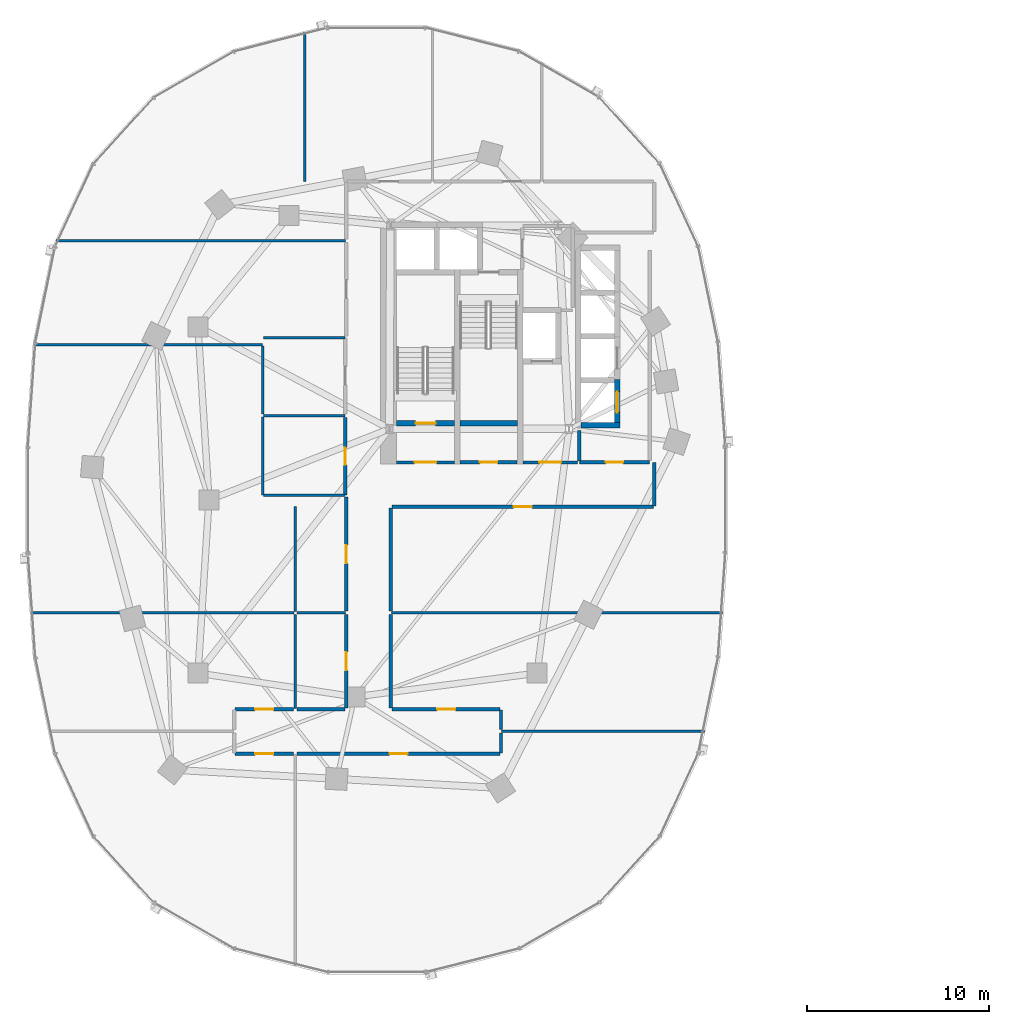
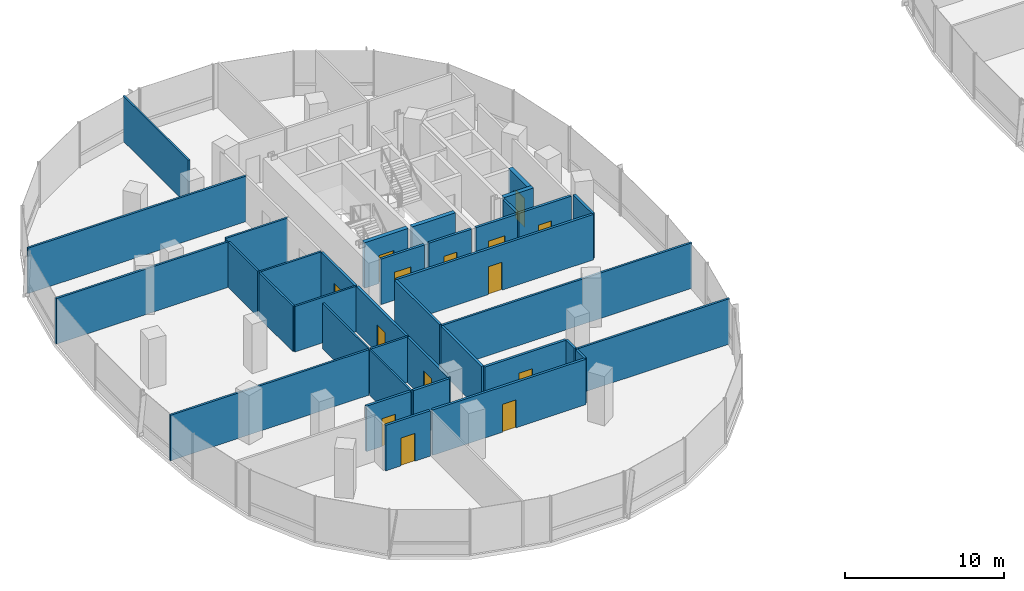
# One storey, part 11 of 22: 37 walls, 14 doors, 14 openings.
"""IFC4 building model written with IfcOpenShell, lengths in metres."""

from ifc_helpers import new_model, si_unit, direction, frame, frame_2d, origin, place, context, subcontext, project, spatial, rectangle, extrude, material, layer, layer_set, type_object, element, fill, save


model = new_model("IFC4")

# Units and contexts
model_context = context("Model", 3, precision=1e-05, world=origin(), true_north=direction((0.0, 1.0)))
body_context = subcontext(model_context, "Body", "Model", "MODEL_VIEW")
ifc_project = project(units=[si_unit("LENGTHUNIT", "METRE"), si_unit("AREAUNIT", "SQUARE_METRE"), si_unit("VOLUMEUNIT", "CUBIC_METRE"), si_unit("PLANEANGLEUNIT", "RADIAN"), si_unit("MASSUNIT", "GRAM", prefix="KILO"), si_unit("THERMODYNAMICTEMPERATUREUNIT", "KELVIN"), si_unit("POWERUNIT", "WATT")], contexts=[model_context])

# Site, building, storey
site_placement = place(None, origin())
site = spatial("IfcSite", under=ifc_project, at=site_placement, CompositionType="ELEMENT")
building_placement = place(site_placement, origin())
building = spatial("IfcBuilding", under=site, at=building_placement, Name="Cundina Bronze Exchange", CompositionType="ELEMENT")
storey_placement = place(building_placement, frame((0.0, 0.0, 39.199951171875)))
storey = spatial("IfcBuildingStorey", under=building, at=storey_placement, Name="L09", CompositionType="ELEMENT", Elevation=39.199951171875)

# Wall
ifc_material_1 = material(Name="Gypsum Fireboard Partition EI120")
ifc_layer_1 = layer(ifc_material_1, 0.179931640625, Name="Gypsum Fireboard Partition EI120")
ifc_layer_set_1 = layer_set([ifc_layer_1], Name="Gypsum Fireboard Partition EI120")
wall_type_1 = type_object("IfcWallType", Name="WL-COR-180", PredefinedType="PARTITIONING", material=ifc_layer_set_1)
wall_1_placement = place(storey_placement, frame((-20.889892578125, 2.14990234375, 0.0), z_axis=(0.0, 0.0, 1.0), x_axis=(0.0, 1.0, 0.0)))
element("IfcWall", 1, at=wall_1_placement, inside=storey, type_object=wall_type_1, Name="L09 W Firefighting Lobby Side Wall", PredefinedType="PARTITIONING", context=body_context, shape_type="SweptSolid", body=[
    extrude(rectangle(XDim=1.650146484375, YDim=0.179931640625, at=frame_2d((0.8251953125, 0.0))), origin(), (0.0, 0.0, 1.0), 3.5),
])

# Wall, opening, door
wall_2_placement = place(storey_placement, frame((-23.97998046875, 2.06005859375, 0.0), z_axis=(0.0, 0.0, 1.0), x_axis=(1.0, 0.0, 0.0)))
wall_2 = element("IfcWall", 2, at=wall_2_placement, inside=storey, type_object=wall_type_1, Name="L09 W Firefighting Lobby Exit Wall", PredefinedType="PARTITIONING", context=body_context, shape_type="SweptSolid", body=[
    extrude(rectangle(XDim=3.0, YDim=0.179931640625, at=frame_2d((1.5, 0.0))), origin(), (0.0, 0.0, 1.0), 3.5),
])
opening_1_placement = place(wall_2_placement, frame((0.89990234375, 0.0, 0.0)))
opening_1 = element("IfcOpeningElement", 3, at=opening_1_placement, cuts=wall_2, Name="Opening DF-01", PredefinedType="OPENING", context=body_context, shape_type="SweptSolid", body=[
    extrude(rectangle(XDim=1.199951171875, YDim=2.14990234375, at=frame_2d((0.60009765625, 1.074951171875))), frame((0.0, 0.099853515625, 0.0), z_axis=(0.0, -1.0, 0.0), x_axis=(1.0, 0.0, 0.0)), (0.0, 0.0, 1.0), 0.199951171875),
])
ifc_material_2 = material(Name="Steel ASTM A36 Painted", Category="steel")
door_type_1 = type_object("IfcDoorType", Name="DR-FFL-1200", OperationType="NOTDEFINED", PredefinedType="DOOR", material=ifc_material_2)
door_1_placement = place(opening_1_placement, origin())
door_1 = element("IfcDoor", 4, at=door_1_placement, inside=storey, type_object=door_type_1, Name="L09 W Firefighting Lobby Door", OperationType="SINGLE_SWING_RIGHT", OverallHeight=2.14990234375, OverallWidth=1.199951171875, PredefinedType="DOOR", context=body_context, shape_type="SweptSolid", body=[
    extrude(rectangle(XDim=1.199951171875, YDim=2.14990234375, at=frame_2d((0.60009765625, 1.074951171875))), frame((0.0, 0.02490234375, 0.0), z_axis=(0.0, -1.0, 0.0), x_axis=(1.0, 0.0, 0.0)), (0.0, 0.0, 1.0), 0.050048828125),
])
fill(opening_1, door_1)

wall_3_placement = place(storey_placement, frame((-30.89990234375, 2.06005859375, 0.0), z_axis=(0.0, 0.0, 1.0), x_axis=(1.0, 0.0, 0.0)))
wall_3 = element("IfcWall", 5, at=wall_3_placement, inside=storey, type_object=wall_type_1, Name="L09 W Stair Vestibule Exit Wall", PredefinedType="PARTITIONING", context=body_context, shape_type="SweptSolid", body=[
    extrude(rectangle(XDim=3.159912109375, YDim=0.179931640625, at=frame_2d((1.580078125, 0.0))), origin(), (0.0, 0.0, 1.0), 3.5),
])
opening_2_placement = place(wall_3_placement, frame((0.97998046875, 0.0, 0.0)))
opening_2 = element("IfcOpeningElement", 6, at=opening_2_placement, cuts=wall_3, Name="Opening DF-01", PredefinedType="OPENING", context=body_context, shape_type="SweptSolid", body=[
    extrude(rectangle(XDim=1.199951171875, YDim=2.14990234375, at=frame_2d((0.60009765625, 1.074951171875))), frame((0.0, 0.099853515625, 0.0), z_axis=(0.0, -1.0, 0.0), x_axis=(1.0, 0.0, 0.0)), (0.0, 0.0, 1.0), 0.199951171875),
])
door_2_placement = place(opening_2_placement, origin())
door_2 = element("IfcDoor", 7, at=door_2_placement, inside=storey, type_object=door_type_1, Name="L09 W Stair Vestibule Door", OperationType="SINGLE_SWING_LEFT", OverallHeight=2.14990234375, OverallWidth=1.199951171875, PredefinedType="DOOR", context=body_context, shape_type="SweptSolid", body=[
    extrude(rectangle(XDim=1.199951171875, YDim=2.14990234375, at=frame_2d((0.60009765625, 1.074951171875))), frame((0.0, 0.02490234375, 0.0), z_axis=(0.0, -1.0, 0.0), x_axis=(1.0, 0.0, 0.0)), (0.0, 0.0, 1.0), 0.050048828125),
])
fill(opening_2, door_2)

wall_4_placement = place(storey_placement, frame((-20.8701171875, 2.070068359375, 0.0), z_axis=(0.0, 0.0, 1.0), x_axis=(1.0, 0.0, 0.0)))
wall_4 = element("IfcWall", 8, at=wall_4_placement, inside=storey, type_object=wall_type_1, Name="L09 Interior Partition 002", PredefinedType="PARTITIONING", context=body_context, shape_type="SweptSolid", body=[
    extrude(rectangle(XDim=3.830078125, YDim=0.179931640625, at=frame_2d((1.9150390625, 0.0))), origin(), (0.0, 0.0, 1.0), 3.5),
])
opening_3_placement = place(wall_4_placement, frame((1.43994140625, 0.0, 0.0)))
opening_3 = element("IfcOpeningElement", 9, at=opening_3_placement, cuts=wall_4, Name="Opening DW-01", PredefinedType="OPENING", context=body_context, shape_type="SweptSolid", body=[
    extrude(rectangle(XDim=0.949951171875, YDim=2.10009765625, at=frame_2d((0.47509765625, 1.050048828125))), frame((0.0, 0.099853515625, 0.0), z_axis=(0.0, -1.0, 0.0), x_axis=(1.0, 0.0, 0.0)), (0.0, 0.0, 1.0), 0.199951171875),
])
ifc_material_3 = material(Name="Solid Andean Oak Timber Grade A", Category="wood")
door_type_2 = type_object("IfcDoorType", Name="DR-WC-950", OperationType="NOTDEFINED", PredefinedType="DOOR", material=ifc_material_3)
door_3_placement = place(opening_3_placement, origin())
door_3 = element("IfcDoor", 10, at=door_3_placement, inside=storey, type_object=door_type_2, Name="L09 Interior Door 002", OperationType="SINGLE_SWING_RIGHT", OverallHeight=2.10009765625, OverallWidth=0.949951171875, PredefinedType="DOOR", context=body_context, shape_type="SweptSolid", body=[
    extrude(rectangle(XDim=0.949951171875, YDim=2.10009765625, at=frame_2d((0.47509765625, 1.050048828125))), frame((0.0, 0.02490234375, 0.0), z_axis=(0.0, -1.0, 0.0), x_axis=(1.0, 0.0, 0.0)), (0.0, 0.0, 1.0), 0.050048828125),
])
fill(opening_3, door_3)

wall_5_placement = place(storey_placement, frame((-27.419921875, 2.070068359375, 0.0), z_axis=(0.0, 0.0, 1.0), x_axis=(1.0, 0.0, 0.0)))
wall_5 = element("IfcWall", 11, at=wall_5_placement, inside=storey, type_object=wall_type_1, Name="L09 Interior Partition 006", PredefinedType="PARTITIONING", context=body_context, shape_type="SweptSolid", body=[
    extrude(rectangle(XDim=3.119873046875, YDim=0.179931640625, at=frame_2d((1.56005859375, 0.0))), origin(), (0.0, 0.0, 1.0), 3.5),
])
opening_4_placement = place(wall_5_placement, frame((1.0849609375, 0.0, 0.0)))
opening_4 = element("IfcOpeningElement", 12, at=opening_4_placement, cuts=wall_5, Name="Opening DW-01", PredefinedType="OPENING", context=body_context, shape_type="SweptSolid", body=[
    extrude(rectangle(XDim=0.949951171875, YDim=2.10009765625, at=frame_2d((0.47509765625, 1.050048828125))), frame((0.0, 0.099853515625, 0.0), z_axis=(0.0, -1.0, 0.0), x_axis=(1.0, 0.0, 0.0)), (0.0, 0.0, 1.0), 0.199951171875),
])
door_4_placement = place(opening_4_placement, origin())
door_4 = element("IfcDoor", 13, at=door_4_placement, inside=storey, type_object=door_type_2, Name="L09 Interior Door 006", OperationType="SINGLE_SWING_RIGHT", OverallHeight=2.10009765625, OverallWidth=0.949951171875, PredefinedType="DOOR", context=body_context, shape_type="SweptSolid", body=[
    extrude(rectangle(XDim=0.949951171875, YDim=2.10009765625, at=frame_2d((0.47509765625, 1.050048828125))), frame((0.0, 0.02490234375, 0.0), z_axis=(0.0, -1.0, 0.0), x_axis=(1.0, 0.0, 0.0)), (0.0, 0.0, 1.0), 0.050048828125),
])
fill(opening_4, door_4)

wall_6_placement = place(storey_placement, frame((-33.719970703125, 0.27001953125, 0.0), z_axis=(0.0, 0.0, 1.0), x_axis=(0.0, 1.0, 0.0)))
wall_6 = element("IfcWall", 14, at=wall_6_placement, inside=storey, type_object=wall_type_1, Name="L09 Interior Partition 013", PredefinedType="PARTITIONING", context=body_context, shape_type="SweptSolid", body=[
    extrude(rectangle(XDim=4.260009765625, YDim=0.179931640625, at=frame_2d((2.1298828125, 0.0))), origin(), (0.0, 0.0, 1.0), 3.5),
])
opening_5_placement = place(wall_6_placement, frame((1.655029296875, 0.0, 0.0)))
opening_5 = element("IfcOpeningElement", 15, at=opening_5_placement, cuts=wall_6, Name="Opening DW-01", PredefinedType="OPENING", context=body_context, shape_type="SweptSolid", body=[
    extrude(rectangle(XDim=0.949951171875, YDim=2.10009765625, at=frame_2d((0.47509765625, 1.050048828125))), frame((0.0, 0.099853515625, 0.0), z_axis=(0.0, -1.0, 0.0), x_axis=(1.0, 0.0, 0.0)), (0.0, 0.0, 1.0), 0.199951171875),
])
door_5_placement = place(opening_5_placement, origin())
door_5 = element("IfcDoor", 16, at=door_5_placement, inside=storey, type_object=door_type_2, Name="L09 Interior Door 013", OperationType="SINGLE_SWING_RIGHT", OverallHeight=2.10009765625, OverallWidth=0.949951171875, PredefinedType="DOOR", context=body_context, shape_type="SweptSolid", body=[
    extrude(rectangle(XDim=0.949951171875, YDim=2.10009765625, at=frame_2d((0.47509765625, 1.050048828125))), frame((0.0, 0.02490234375, 0.0), z_axis=(0.0, -1.0, 0.0), x_axis=(1.0, 0.0, 0.0)), (0.0, 0.0, 1.0), 0.050048828125),
])
fill(opening_5, door_5)

wall_7_placement = place(storey_placement, frame((-36.3701171875, -13.919921875, 0.0), z_axis=(0.0, 0.0, 1.0), x_axis=(1.0, 0.0, 0.0)))
wall_7 = element("IfcWall", 17, at=wall_7_placement, inside=storey, type_object=wall_type_1, Name="L09 Interior Partition 028", PredefinedType="PARTITIONING", context=body_context, shape_type="SweptSolid", body=[
    extrude(rectangle(XDim=11.148681640625, YDim=0.179931640625, at=frame_2d((5.57421875, 0.0))), origin(), (0.0, 0.0, 1.0), 3.5),
])
opening_6_placement = place(wall_7_placement, frame((5.07421875, 0.0, 0.0)))
opening_6 = element("IfcOpeningElement", 18, at=opening_6_placement, cuts=wall_7, Name="Opening DO-01", PredefinedType="OPENING", context=body_context, shape_type="SweptSolid", body=[
    extrude(rectangle(XDim=1.0, YDim=2.14990234375, at=frame_2d((0.5, 1.074951171875))), frame((0.0, 0.099853515625, 0.0), z_axis=(0.0, -1.0, 0.0), x_axis=(1.0, 0.0, 0.0)), (0.0, 0.0, 1.0), 0.199951171875),
])
door_type_3 = type_object("IfcDoorType", Name="DR-OFF-1000", OperationType="NOTDEFINED", PredefinedType="DOOR", material=ifc_material_3)
door_6_placement = place(opening_6_placement, origin())
door_6 = element("IfcDoor", 19, at=door_6_placement, inside=storey, type_object=door_type_3, Name="L09 Interior Door 028", OperationType="SINGLE_SWING_RIGHT", OverallHeight=2.14990234375, OverallWidth=1.0, PredefinedType="DOOR", context=body_context, shape_type="SweptSolid", body=[
    extrude(rectangle(XDim=1.0, YDim=2.14990234375, at=frame_2d((0.5, 1.074951171875))), frame((0.0, 0.02490234375, 0.0), z_axis=(0.0, -1.0, 0.0), x_axis=(1.0, 0.0, 0.0)), (0.0, 0.0, 1.0), 0.050048828125),
])
fill(opening_6, door_6)

# Wall
wall_8_placement = place(storey_placement, frame((-25.179931640625, -13.87841796875, 0.0), z_axis=(0.0, 0.0, 1.0), x_axis=(0.0, 1.0, 0.0)))
element("IfcWall", 20, at=wall_8_placement, inside=storey, type_object=wall_type_1, Name="L09 Interior Partition 029", PredefinedType="PARTITIONING", context=body_context, shape_type="SweptSolid", body=[
    extrude(rectangle(XDim=1.098388671875, YDim=0.179931640625, at=frame_2d((0.54931640625, 0.0))), origin(), (0.0, 0.0, 1.0), 3.5),
])

# Wall, opening, door
wall_9_placement = place(storey_placement, frame((-39.778564453125, -13.919921875, 0.0), z_axis=(0.0, 0.0, 1.0), x_axis=(1.0, 0.0, 0.0)))
wall_9 = element("IfcWall", 21, at=wall_9_placement, inside=storey, type_object=wall_type_1, Name="L09 Interior Partition 030", PredefinedType="PARTITIONING", context=body_context, shape_type="SweptSolid", body=[
    extrude(rectangle(XDim=3.228515625, YDim=0.179931640625, at=frame_2d((1.6142578125, 0.0))), origin(), (0.0, 0.0, 1.0), 3.5),
])
opening_7_placement = place(wall_9_placement, frame((1.1142578125, 0.0, 0.0)))
opening_7 = element("IfcOpeningElement", 22, at=opening_7_placement, cuts=wall_9, Name="Opening DO-01", PredefinedType="OPENING", context=body_context, shape_type="SweptSolid", body=[
    extrude(rectangle(XDim=1.0, YDim=2.14990234375, at=frame_2d((0.5, 1.074951171875))), frame((0.0, 0.099853515625, 0.0), z_axis=(0.0, -1.0, 0.0), x_axis=(1.0, 0.0, 0.0)), (0.0, 0.0, 1.0), 0.199951171875),
])
door_7_placement = place(opening_7_placement, origin())
door_7 = element("IfcDoor", 23, at=door_7_placement, inside=storey, type_object=door_type_3, Name="L09 Interior Door 030", OperationType="SINGLE_SWING_RIGHT", OverallHeight=2.14990234375, OverallWidth=1.0, PredefinedType="DOOR", context=body_context, shape_type="SweptSolid", body=[
    extrude(rectangle(XDim=1.0, YDim=2.14990234375, at=frame_2d((0.5, 1.074951171875))), frame((0.0, 0.02490234375, 0.0), z_axis=(0.0, -1.0, 0.0), x_axis=(1.0, 0.0, 0.0)), (0.0, 0.0, 1.0), 0.050048828125),
])
fill(opening_7, door_7)

wall_10_placement = place(storey_placement, frame((-36.550048828125, -11.47998046875, 0.0), z_axis=(0.0, 0.0, 1.0), x_axis=(-1.0, 0.0, 0.0)))
wall_10 = element("IfcWall", 24, at=wall_10_placement, inside=storey, type_object=wall_type_1, Name="L09 Interior Partition 032", PredefinedType="PARTITIONING", context=body_context, shape_type="SweptSolid", body=[
    extrude(rectangle(XDim=3.228515625, YDim=0.179931640625, at=frame_2d((1.6142578125, 0.0))), origin(), (0.0, 0.0, 1.0), 3.5),
])
opening_8_placement = place(wall_10_placement, frame((1.1142578125, 0.0, 0.0)))
opening_8 = element("IfcOpeningElement", 25, at=opening_8_placement, cuts=wall_10, Name="Opening DO-01", PredefinedType="OPENING", context=body_context, shape_type="SweptSolid", body=[
    extrude(rectangle(XDim=1.0, YDim=2.14990234375, at=frame_2d((0.5, 1.074951171875))), frame((0.0, 0.099853515625, 0.0), z_axis=(0.0, -1.0, 0.0), x_axis=(1.0, 0.0, 0.0)), (0.0, 0.0, 1.0), 0.199951171875),
])
door_8_placement = place(opening_8_placement, origin())
door_8 = element("IfcDoor", 26, at=door_8_placement, inside=storey, type_object=door_type_3, Name="L09 Interior Door 032", OperationType="SINGLE_SWING_LEFT", OverallHeight=2.14990234375, OverallWidth=1.0, PredefinedType="DOOR", context=body_context, shape_type="SweptSolid", body=[
    extrude(rectangle(XDim=1.0, YDim=2.14990234375, at=frame_2d((0.5, 1.074951171875))), frame((0.0, 0.02490234375, 0.0), z_axis=(0.0, -1.0, 0.0), x_axis=(1.0, 0.0, 0.0)), (0.0, 0.0, 1.0), 0.050048828125),
])
fill(opening_8, door_8)

wall_11_placement = place(storey_placement, frame((-25.221435546875, -11.47998046875, 0.0), z_axis=(0.0, 0.0, 1.0), x_axis=(-1.0, 0.0, 0.0)))
wall_11 = element("IfcWall", 27, at=wall_11_placement, inside=storey, type_object=wall_type_1, Name="L09 Interior Partition 034", PredefinedType="PARTITIONING", context=body_context, shape_type="SweptSolid", body=[
    extrude(rectangle(XDim=5.928466796875, YDim=0.179931640625, at=frame_2d((2.96435546875, 0.0))), origin(), (0.0, 0.0, 1.0), 3.5),
])
opening_9_placement = place(wall_11_placement, frame((2.464111328125, 0.0, 0.0)))
opening_9 = element("IfcOpeningElement", 28, at=opening_9_placement, cuts=wall_11, Name="Opening DO-01", PredefinedType="OPENING", context=body_context, shape_type="SweptSolid", body=[
    extrude(rectangle(XDim=1.0, YDim=2.14990234375, at=frame_2d((0.5, 1.074951171875))), frame((0.0, 0.099853515625, 0.0), z_axis=(0.0, -1.0, 0.0), x_axis=(1.0, 0.0, 0.0)), (0.0, 0.0, 1.0), 0.199951171875),
])
door_9_placement = place(opening_9_placement, origin())
door_9 = element("IfcDoor", 29, at=door_9_placement, inside=storey, type_object=door_type_3, Name="L09 Interior Door 034", OperationType="SINGLE_SWING_RIGHT", OverallHeight=2.14990234375, OverallWidth=1.0, PredefinedType="DOOR", context=body_context, shape_type="SweptSolid", body=[
    extrude(rectangle(XDim=1.0, YDim=2.14990234375, at=frame_2d((0.5, 1.074951171875))), frame((0.0, 0.02490234375, 0.0), z_axis=(0.0, -1.0, 0.0), x_axis=(1.0, 0.0, 0.0)), (0.0, 0.0, 1.0), 0.050048828125),
])
fill(opening_9, door_9)

# Walls
wall_12_placement = place(storey_placement, frame((-31.22998046875, -11.39990234375, 0.0), z_axis=(0.0, 0.0, 1.0), x_axis=(0.0, 1.0, 0.0)))
element("IfcWall", 30, at=wall_12_placement, inside=storey, type_object=wall_type_1, Name="L09 Interior Partition 035", PredefinedType="PARTITIONING", context=body_context, shape_type="SweptSolid", body=[
    extrude(rectangle(XDim=5.119873046875, YDim=0.179931640625, at=frame_2d((2.56005859375, 0.0))), origin(), (0.0, 0.0, 1.0), 3.5),
])
wall_13_placement = place(storey_placement, frame((-25.179931640625, -12.60009765625, 0.0), z_axis=(0.0, 0.0, 1.0), x_axis=(0.0, 1.0, 0.0)))
element("IfcWall", 31, at=wall_13_placement, inside=storey, type_object=wall_type_1, Name="L09 Interior Partition 036", PredefinedType="PARTITIONING", context=body_context, shape_type="SweptSolid", body=[
    extrude(rectangle(XDim=1.07861328125, YDim=0.179931640625, at=frame_2d((0.539306640625, 0.0))), origin(), (0.0, 0.0, 1.0), 3.5),
])

# Wall, opening, door
wall_14_placement = place(storey_placement, frame((-33.669921875, -6.280029296875, 0.0), z_axis=(0.0, 0.0, 1.0), x_axis=(0.0, -1.0, 0.0)))
wall_14 = element("IfcWall", 32, at=wall_14_placement, inside=storey, type_object=wall_type_1, Name="L09 Interior Partition 037", PredefinedType="PARTITIONING", context=body_context, shape_type="SweptSolid", body=[
    extrude(rectangle(XDim=5.119873046875, YDim=0.179931640625, at=frame_2d((2.56005859375, 0.0))), origin(), (0.0, 0.0, 1.0), 3.5),
])
opening_10_placement = place(wall_14_placement, frame((2.06005859375, 0.0, 0.0)))
opening_10 = element("IfcOpeningElement", 33, at=opening_10_placement, cuts=wall_14, Name="Opening DO-01", PredefinedType="OPENING", context=body_context, shape_type="SweptSolid", body=[
    extrude(rectangle(XDim=1.0, YDim=2.14990234375, at=frame_2d((0.5, 1.074951171875))), frame((0.0, 0.099853515625, 0.0), z_axis=(0.0, -1.0, 0.0), x_axis=(1.0, 0.0, 0.0)), (0.0, 0.0, 1.0), 0.199951171875),
])
door_10_placement = place(opening_10_placement, origin())
door_10 = element("IfcDoor", 34, at=door_10_placement, inside=storey, type_object=door_type_3, Name="L09 Interior Door 037", OperationType="SINGLE_SWING_RIGHT", OverallHeight=2.14990234375, OverallWidth=1.0, PredefinedType="DOOR", context=body_context, shape_type="SweptSolid", body=[
    extrude(rectangle(XDim=1.0, YDim=2.14990234375, at=frame_2d((0.5, 1.074951171875))), frame((0.0, 0.02490234375, 0.0), z_axis=(0.0, -1.0, 0.0), x_axis=(1.0, 0.0, 0.0)), (0.0, 0.0, 1.0), 0.050048828125),
])
fill(opening_10, door_10)

# Wall
wall_15_placement = place(storey_placement, frame((-33.75, -11.47998046875, 0.0), z_axis=(0.0, 0.0, 1.0), x_axis=(-1.0, 0.0, 0.0)))
element("IfcWall", 35, at=wall_15_placement, inside=storey, type_object=wall_type_1, Name="L09 Interior Partition 038", PredefinedType="PARTITIONING", context=body_context, shape_type="SweptSolid", body=[
    extrude(rectangle(XDim=2.6201171875, YDim=0.179931640625, at=frame_2d((1.31005859375, 0.0))), origin(), (0.0, 0.0, 1.0), 3.5),
])

# Wall, opening, door
wall_16_placement = place(storey_placement, frame((-33.669921875, 0.15869140625, 0.0), z_axis=(0.0, 0.0, 1.0), x_axis=(0.0, -1.0, 0.0)))
wall_16 = element("IfcWall", 36, at=wall_16_placement, inside=storey, type_object=wall_type_1, Name="L09 Interior Partition 039", PredefinedType="PARTITIONING", context=body_context, shape_type="SweptSolid", body=[
    extrude(rectangle(XDim=6.2587890625, YDim=0.179931640625, at=frame_2d((3.12939453125, 0.0))), origin(), (0.0, 0.0, 1.0), 3.5),
])
opening_11_placement = place(wall_16_placement, frame((2.62939453125, 0.0, 0.0)))
opening_11 = element("IfcOpeningElement", 37, at=opening_11_placement, cuts=wall_16, Name="Opening DO-01", PredefinedType="OPENING", context=body_context, shape_type="SweptSolid", body=[
    extrude(rectangle(XDim=1.0, YDim=2.14990234375, at=frame_2d((0.5, 1.074951171875))), frame((0.0, 0.099853515625, 0.0), z_axis=(0.0, -1.0, 0.0), x_axis=(1.0, 0.0, 0.0)), (0.0, 0.0, 1.0), 0.199951171875),
])
door_11_placement = place(opening_11_placement, origin())
door_11 = element("IfcDoor", 38, at=door_11_placement, inside=storey, type_object=door_type_3, Name="L09 Interior Door 039", OperationType="SINGLE_SWING_RIGHT", OverallHeight=2.14990234375, OverallWidth=1.0, PredefinedType="DOOR", context=body_context, shape_type="SweptSolid", body=[
    extrude(rectangle(XDim=1.0, YDim=2.14990234375, at=frame_2d((0.5, 1.074951171875))), frame((0.0, 0.02490234375, 0.0), z_axis=(0.0, -1.0, 0.0), x_axis=(1.0, 0.0, 0.0)), (0.0, 0.0, 1.0), 0.050048828125),
])
fill(opening_11, door_11)

wall_17_placement = place(storey_placement, frame((-31.14990234375, -0.3701171875, 0.0), z_axis=(0.0, 0.0, 1.0), x_axis=(1.0, 0.0, 0.0)))
wall_17 = element("IfcWall", 39, at=wall_17_placement, inside=storey, type_object=wall_type_1, Name="L09 Interior Partition 040", PredefinedType="PARTITIONING", context=body_context, shape_type="SweptSolid", body=[
    extrude(rectangle(XDim=14.328369140625, YDim=0.179931640625, at=frame_2d((7.1640625, 0.0))), origin(), (0.0, 0.0, 1.0), 3.5),
])
opening_12_placement = place(wall_17_placement, frame((6.664306640625, 0.0, 0.0)))
opening_12 = element("IfcOpeningElement", 40, at=opening_12_placement, cuts=wall_17, Name="Opening DO-01", PredefinedType="OPENING", context=body_context, shape_type="SweptSolid", body=[
    extrude(rectangle(XDim=1.0, YDim=2.14990234375, at=frame_2d((0.5, 1.074951171875))), frame((0.0, 0.099853515625, 0.0), z_axis=(0.0, -1.0, 0.0), x_axis=(1.0, 0.0, 0.0)), (0.0, 0.0, 1.0), 0.199951171875),
])
door_12_placement = place(opening_12_placement, origin())
door_12 = element("IfcDoor", 41, at=door_12_placement, inside=storey, type_object=door_type_3, Name="L09 Interior Door 040", OperationType="SINGLE_SWING_RIGHT", OverallHeight=2.14990234375, OverallWidth=1.0, PredefinedType="DOOR", context=body_context, shape_type="SweptSolid", body=[
    extrude(rectangle(XDim=1.0, YDim=2.14990234375, at=frame_2d((0.5, 1.074951171875))), frame((0.0, 0.02490234375, 0.0), z_axis=(0.0, -1.0, 0.0), x_axis=(1.0, 0.0, 0.0)), (0.0, 0.0, 1.0), 0.050048828125),
])
fill(opening_12, door_12)

# Walls
wall_18_placement = place(storey_placement, frame((-31.22998046875, -6.10009765625, 0.0), z_axis=(0.0, 0.0, 1.0), x_axis=(0.0, 1.0, 0.0)))
element("IfcWall", 42, at=wall_18_placement, inside=storey, type_object=wall_type_1, Name="L09 Interior Partition 042", PredefinedType="PARTITIONING", context=body_context, shape_type="SweptSolid", body=[
    extrude(rectangle(XDim=5.650146484375, YDim=0.179931640625, at=frame_2d((2.8251953125, 0.0))), origin(), (0.0, 0.0, 1.0), 3.5),
])
wall_19_placement = place(storey_placement, frame((-16.780029296875, -0.32861328125, 0.0), z_axis=(0.0, 0.0, 1.0), x_axis=(0.0, 1.0, 0.0)))
element("IfcWall", 43, at=wall_19_placement, inside=storey, type_object=wall_type_1, Name="L09 Interior Partition 045", PredefinedType="PARTITIONING", context=body_context, shape_type="SweptSolid", body=[
    extrude(rectangle(XDim=2.38720703125, YDim=0.179931640625, at=frame_2d((1.193603515625, 0.0))), origin(), (0.0, 0.0, 1.0), 3.5),
])
ifc_material_4 = material(Name="Gypsum Acoustic Partition EI60")
ifc_layer_2 = layer(ifc_material_4, 0.125, Name="Gypsum Acoustic Partition EI60")
ifc_layer_set_2 = layer_set([ifc_layer_2], Name="Gypsum Acoustic Partition EI60")
wall_type_2 = type_object("IfcWallType", Name="WL-OFF-125", PredefinedType="PARTITIONING", material=ifc_layer_set_2)
wall_20_placement = place(storey_placement, frame((-36.4599609375, -11.449951171875, 0.0), z_axis=(0.0, 0.0, 1.0), x_axis=(0.0, 1.0, 0.0)))
element("IfcWall", 44, at=wall_20_placement, inside=storey, type_object=wall_type_2, Name="L09 Interior Partition 016", PredefinedType="PARTITIONING", context=body_context, shape_type="SweptSolid", body=[
    extrude(rectangle(XDim=5.175048828125, YDim=0.125, at=frame_2d((2.58740234375, 0.0))), origin(), (0.0, 0.0, 1.0), 3.5),
])
wall_21_placement = place(storey_placement, frame((-36.4599609375, -6.10498046875, 0.0), z_axis=(0.0, 0.0, 1.0), x_axis=(0.0, 1.0, 0.0)))
element("IfcWall", 45, at=wall_21_placement, inside=storey, type_object=wall_type_2, Name="L09 Interior Partition 017", PredefinedType="PARTITIONING", context=body_context, shape_type="SweptSolid", body=[
    extrude(rectangle(XDim=5.73486328125, YDim=0.125, at=frame_2d((2.867431640625, 0.0))), origin(), (0.0, 0.0, 1.0), 3.5),
])
wall_22_placement = place(storey_placement, frame((-35.93994140625, 17.469970703125, 0.0), z_axis=(0.0, 0.0, 1.0), x_axis=(0.0, 1.0, 0.0)))
element("IfcWall", 46, at=wall_22_placement, inside=storey, type_object=wall_type_2, Name="L09 Interior Partition 025", PredefinedType="PARTITIONING", context=body_context, shape_type="SweptSolid", body=[
    extrude(rectangle(XDim=8.202392578125, YDim=0.125, at=frame_2d((4.10107421875, 0.0))), origin(), (0.0, 0.0, 1.0), 3.5),
])

# Wall, opening, door
ifc_material_5 = material(Name="Concrete C50/60", Category="concrete")
ifc_layer_3 = layer(ifc_material_5, 0.300048828125, Name="Concrete C50/60", Category="concrete")
ifc_layer_set_3 = layer_set([ifc_layer_3], Name="Concrete C50/60")
wall_type_3 = type_object("IfcWallType", Name="WL-SHFT-300", PredefinedType="SHEAR", material=ifc_layer_set_3)
wall_23_placement = place(storey_placement, frame((-30.89990234375, 4.199951171875, 0.0), z_axis=(0.0, 0.0, 1.0), x_axis=(1.0, 0.0, 0.0)))
wall_23 = element("IfcWall", 47, at=wall_23_placement, inside=storey, type_object=wall_type_3, Name="L09 Stair W1 Landing Wall", PredefinedType="SHEAR", context=body_context, shape_type="SweptSolid", body=[
    extrude(rectangle(XDim=3.159912109375, YDim=0.300048828125, at=frame_2d((1.580078125, 0.0))), origin(), (0.0, 0.0, 1.0), 3.5),
])
opening_13_placement = place(wall_23_placement, frame((1.030029296875, 0.0, 0.0)))
opening_13 = element("IfcOpeningElement", 48, at=opening_13_placement, cuts=wall_23, Name="Opening DS-01", PredefinedType="OPENING", context=body_context, shape_type="SweptSolid", body=[
    extrude(rectangle(XDim=1.10009765625, YDim=2.14990234375, at=frame_2d((0.550048828125, 1.074951171875))), frame((0.0, 0.159912109375, 0.0), z_axis=(0.0, -1.0, 0.0), x_axis=(1.0, 0.0, 0.0)), (0.0, 0.0, 1.0), 0.320068359375),
])
door_type_4 = type_object("IfcDoorType", Name="DR-STR-1100", OperationType="NOTDEFINED", PredefinedType="DOOR", material=ifc_material_2)
door_13_placement = place(opening_13_placement, origin())
door_13 = element("IfcDoor", 49, at=door_13_placement, inside=storey, type_object=door_type_4, Name="L09 Smokeproof Stair W1 Door", OperationType="SINGLE_SWING_RIGHT", OverallHeight=2.14990234375, OverallWidth=1.10009765625, PredefinedType="DOOR", context=body_context, shape_type="SweptSolid", body=[
    extrude(rectangle(XDim=1.10009765625, YDim=2.14990234375, at=frame_2d((0.550048828125, 1.074951171875))), frame((0.0, 0.02490234375, 0.0), z_axis=(0.0, -1.0, 0.0), x_axis=(1.0, 0.0, 0.0)), (0.0, 0.0, 1.0), 0.050048828125),
])
fill(opening_13, door_13)

# Walls
wall_24_placement = place(storey_placement, frame((-27.43994140625, 4.199951171875, 0.0), z_axis=(0.0, 0.0, 1.0), x_axis=(1.0, 0.0, 0.0)))
element("IfcWall", 50, at=wall_24_placement, inside=storey, type_object=wall_type_3, Name="L09 Stair W2 Far Shaft Wall", PredefinedType="SHEAR", context=body_context, shape_type="SweptSolid", body=[
    extrude(rectangle(XDim=3.159912109375, YDim=0.300048828125, at=frame_2d((1.580078125, 0.0))), origin(), (0.0, 0.0, 1.0), 3.5),
])
wall_25_placement = place(storey_placement, frame((-20.800048828125, 4.10009765625, 0.0), z_axis=(0.0, 0.0, 1.0), x_axis=(1.0, 0.0, 0.0)))
element("IfcWall", 51, at=wall_25_placement, inside=storey, type_object=wall_type_3, Name="L09 W Passenger Bank South Cap Wall", PredefinedType="SHEAR", context=body_context, shape_type="SweptSolid", body=[
    extrude(rectangle(XDim=2.150146484375, YDim=0.300048828125, at=frame_2d((1.0751953125, 0.0))), origin(), (0.0, 0.0, 1.0), 3.5),
])

# Wall, opening, door
wall_26_placement = place(storey_placement, frame((-18.800048828125, 4.1298828125, 0.0), z_axis=(0.0, 0.0, 1.0), x_axis=(0.0, 1.0, 0.0)))
wall_26 = element("IfcWall", 52, at=wall_26_placement, inside=storey, type_object=wall_type_3, Name="L09 PL-W2 Hoistway Front Wall", PredefinedType="SHEAR", context=body_context, shape_type="SweptSolid", body=[
    extrude(rectangle(XDim=2.490234375, YDim=0.300048828125, at=frame_2d((1.2451171875, 0.0))), origin(), (0.0, 0.0, 1.0), 3.5),
])
opening_14_placement = place(wall_26_placement, frame((0.669921875, 0.0, 0.0)))
opening_14 = element("IfcOpeningElement", 53, at=opening_14_placement, cuts=wall_26, Name="Opening LD-01", PredefinedType="OPENING", context=body_context, shape_type="SweptSolid", body=[
    extrude(rectangle(XDim=1.14990234375, YDim=2.199951171875, at=frame_2d((0.574951171875, 1.10009765625))), frame((0.0, 0.159912109375, 0.0), z_axis=(0.0, -1.0, 0.0), x_axis=(1.0, 0.0, 0.0)), (0.0, 0.0, 1.0), 0.320068359375),
])
door_type_5 = type_object("IfcDoorType", Name="DR-LND-1150", OperationType="NOTDEFINED", PredefinedType="TRAPDOOR", material=ifc_material_2)
door_14_placement = place(opening_14_placement, origin())
door_14 = element("IfcDoor", 54, at=door_14_placement, inside=storey, type_object=door_type_5, Name="L09 PL-W2 Sliding Landing Door", OperationType="SLIDING_TO_LEFT", OverallHeight=2.199951171875, OverallWidth=1.14990234375, PredefinedType="TRAPDOOR", context=body_context, shape_type="SweptSolid", body=[
    extrude(rectangle(XDim=1.14990234375, YDim=2.199951171875, at=frame_2d((0.574951171875, 1.10009765625))), frame((0.0, 0.02490234375, 0.0), z_axis=(0.0, -1.0, 0.0), x_axis=(1.0, 0.0, 0.0)), (0.0, 0.0, 1.0), 0.050048828125),
])
fill(opening_14, door_14)

# Walls
ifc_layer_4 = layer(ifc_material_4, 0.14990234375, Name="Gypsum Acoustic Partition EI60")
ifc_layer_set_4 = layer_set([ifc_layer_4], Name="Gypsum Acoustic Partition EI60")
wall_type_4 = type_object("IfcWallType", Name="WL-TEN-150", PredefinedType="PARTITIONING", material=ifc_layer_set_4)
wall_27_placement = place(storey_placement, frame((-50.978515625, -6.18994140625, 0.0), z_axis=(0.0, 0.0, 1.0), x_axis=(1.0, 0.0, 0.0)))
element("IfcWall", 55, at=wall_27_placement, inside=storey, type_object=wall_type_4, Name="L09 Interior Partition 018", PredefinedType="PARTITIONING", context=body_context, shape_type="SweptSolid", body=[
    extrude(rectangle(XDim=14.43359375, YDim=0.14990234375, at=frame_2d((7.216796875, 0.0))), origin(), (0.0, 0.0, 1.0), 3.5),
])
wall_28_placement = place(storey_placement, frame((-36.375, -6.18994140625, 0.0), z_axis=(0.0, 0.0, 1.0), x_axis=(1.0, 0.0, 0.0)))
element("IfcWall", 56, at=wall_28_placement, inside=storey, type_object=wall_type_4, Name="L09 Interior Partition 019", PredefinedType="PARTITIONING", context=body_context, shape_type="SweptSolid", body=[
    extrude(rectangle(XDim=2.675048828125, YDim=0.14990234375, at=frame_2d((1.33740234375, 0.0))), origin(), (0.0, 0.0, 1.0), 3.5),
])
wall_29_placement = place(storey_placement, frame((-31.199951171875, -6.18994140625, 0.0), z_axis=(0.0, 0.0, 1.0), x_axis=(1.0, 0.0, 0.0)))
element("IfcWall", 57, at=wall_29_placement, inside=storey, type_object=wall_type_4, Name="L09 Interior Partition 020", PredefinedType="PARTITIONING", context=body_context, shape_type="SweptSolid", body=[
    extrude(rectangle(XDim=18.178466796875, YDim=0.14990234375, at=frame_2d((9.08935546875, 0.0))), origin(), (0.0, 0.0, 1.0), 3.5),
])
wall_30_placement = place(storey_placement, frame((-25.14990234375, -12.68994140625, 0.0), z_axis=(0.0, 0.0, 1.0), x_axis=(1.0, 0.0, 0.0)))
element("IfcWall", 58, at=wall_30_placement, inside=storey, type_object=wall_type_4, Name="L09 Interior Partition 022", PredefinedType="PARTITIONING", context=body_context, shape_type="SweptSolid", body=[
    extrude(rectangle(XDim=11.1240234375, YDim=0.14990234375, at=frame_2d((5.56201171875, 0.0))), origin(), (0.0, 0.0, 1.0), 3.5),
])
wall_31_placement = place(storey_placement, frame((-50.814208984375, 8.52001953125, 0.0), z_axis=(0.0, 0.0, 1.0), x_axis=(1.0, 0.0, 0.0)))
element("IfcWall", 59, at=wall_31_placement, inside=storey, type_object=wall_type_4, Name="L09 Interior Partition 023", PredefinedType="PARTITIONING", context=body_context, shape_type="SweptSolid", body=[
    extrude(rectangle(XDim=12.544189453125, YDim=0.14990234375, at=frame_2d((6.27197265625, 0.0))), origin(), (0.0, 0.0, 1.0), 3.5),
])
wall_32_placement = place(storey_placement, frame((-49.584716796875, 14.219970703125, 0.0), z_axis=(0.0, 0.0, 1.0), x_axis=(1.0, 0.0, 0.0)))
element("IfcWall", 60, at=wall_32_placement, inside=storey, type_object=wall_type_4, Name="L09 Interior Partition 024", PredefinedType="PARTITIONING", context=body_context, shape_type="SweptSolid", body=[
    extrude(rectangle(XDim=15.884765625, YDim=0.14990234375, at=frame_2d((7.9423828125, 0.0))), origin(), (0.0, 0.0, 1.0), 3.5),
])
ifc_material_6 = material(Name="Moisture-Resistant Masonry Block Grade M15", Category="masonry")
ifc_layer_5 = layer(ifc_material_6, 0.139892578125, Name="Moisture-Resistant Masonry Block Grade M15", Category="masonry")
ifc_layer_set_5 = layer_set([ifc_layer_5], Name="Moisture-Resistant Masonry Block Grade M15")
wall_type_5 = type_object("IfcWallType", Name="WL-WET-140", PredefinedType="PARTITIONING", material=ifc_layer_set_5)
wall_33_placement = place(storey_placement, frame((-38.239990234375, 0.27001953125, 0.0), z_axis=(0.0, 0.0, 1.0), x_axis=(0.0, 1.0, 0.0)))
element("IfcWall", 61, at=wall_33_placement, inside=storey, type_object=wall_type_5, Name="L09 Interior Partition 008", PredefinedType="PARTITIONING", context=body_context, shape_type="SweptSolid", body=[
    extrude(rectangle(XDim=4.27490234375, YDim=0.139892578125, at=frame_2d((2.137451171875, 0.0))), origin(), (0.0, 0.0, 1.0), 3.5),
])
wall_34_placement = place(storey_placement, frame((-38.239990234375, 4.715087890625, 0.0), z_axis=(0.0, 0.0, 1.0), x_axis=(0.0, 1.0, 0.0)))
element("IfcWall", 62, at=wall_34_placement, inside=storey, type_object=wall_type_5, Name="L09 Interior Partition 009", PredefinedType="PARTITIONING", context=body_context, shape_type="SweptSolid", body=[
    extrude(rectangle(XDim=3.719970703125, YDim=0.139892578125, at=frame_2d((1.85986328125, 0.0))), origin(), (0.0, 0.0, 1.0), 3.5),
])
for number, where, z_axis, x_axis, name in (
    (63, (-38.219970703125, 0.25, 0.0), (0.0, 0.0, 1.0), (1.0, 0.0, 0.0), "L09 Interior Partition 010"),
    (64, (-38.219970703125, 4.6298828125, 0.0), (0.0, 0.0, 1.0), (1.0, 0.0, 0.0), "L09 Interior Partition 011"),
    (65, (-38.219970703125, 8.909912109375, 0.0), (0.0, 0.0, 1.0), (1.0, 0.0, 0.0), "L09 Interior Partition 012"),
):
    element("IfcWall", number, at=place(storey_placement, frame(where, z_axis=z_axis, x_axis=x_axis)), inside=storey, type_object=wall_type_5, Name=name, PredefinedType="PARTITIONING", context=body_context, shape_type="SweptSolid", body=[
        extrude(rectangle(XDim=4.47998046875, YDim=0.139892578125, at=frame_2d((2.239990234375, 0.0))), origin(), (0.0, 0.0, 1.0), 3.5),
    ])

save(model, "model.ifc")
